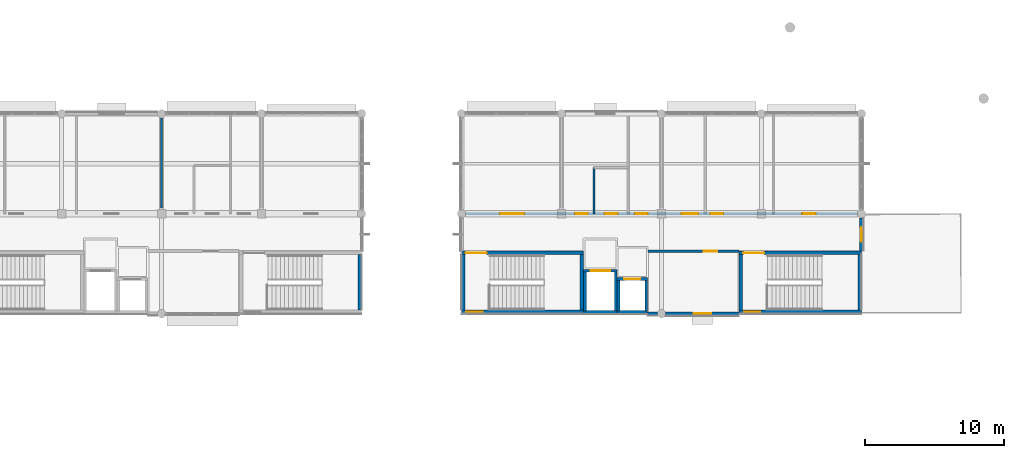
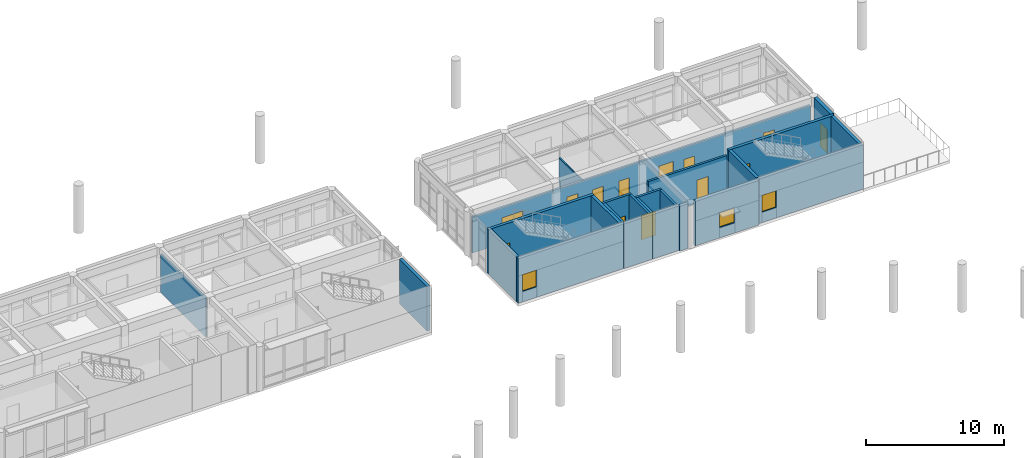
# One storey, part 22 of 41: 24 walls, 13 doors, 3 windows, 16 openings.
"""IFC4 building model written with IfcOpenShell, lengths in metres."""

from ifc_helpers import new_model, si_unit, direction, frame, frame_2d, origin, place, context, subcontext, project, spatial, rectangle, extrude, material, layer, layer_set, type_object, element, fill, save


model = new_model("IFC4")

# Units and contexts
model_context = context("Model", 3, precision=1e-05, world=origin(), true_north=direction((0.0, 1.0)))
body_context = subcontext(model_context, "Body", "Model", "MODEL_VIEW")
ifc_project = project(units=[si_unit("LENGTHUNIT", "METRE"), si_unit("AREAUNIT", "SQUARE_METRE"), si_unit("VOLUMEUNIT", "CUBIC_METRE"), si_unit("PLANEANGLEUNIT", "RADIAN"), si_unit("MASSUNIT", "GRAM", prefix="KILO")], contexts=[model_context])

# Site, building, storey
site_placement = place(None, origin())
site = spatial("IfcSite", under=ifc_project, at=site_placement, CompositionType="ELEMENT")
building_placement = place(site_placement, origin())
building = spatial("IfcBuilding", under=site, at=building_placement, Name="Namkhue Oval Health Centre", CompositionType="ELEMENT")
storey_placement = place(building_placement, frame((0.0, 0.0, 13.800048828125)))
storey = spatial("IfcBuildingStorey", under=building, at=storey_placement, Name="L03", CompositionType="ELEMENT", Elevation=13.800048828125)

# Wall
ifc_material_1 = material(Name="Autoclaved aerated concrete blockwork M7.5", Category="masonry")
ifc_layer_1 = layer(ifc_material_1, 0.27001953125)
ifc_layer_set_1 = layer_set([ifc_layer_1], Name="Autoclaved aerated concrete blockwork M7.5")
wall_type_1 = type_object("IfcWallType", Name="EXTERIOR ENVELOPE WALL 270", PredefinedType="STANDARD", material=ifc_layer_set_1)
wall_1_placement = place(storey_placement, frame((107.001953125, 90.0, 0.0), z_axis=(0.0, 0.0, 1.0), x_axis=(1.0, 0.0, 0.0)))
element("IfcWall", 1, at=wall_1_placement, inside=storey, type_object=wall_type_1, Name="Volume V3 L03 Exterior Envelope Wall 74", PredefinedType="STANDARD", context=body_context, shape_type="SweptSolid", body=[
    extrude(rectangle(XDim=0.703125, YDim=0.27001953125, at=frame_2d((0.3515625, 0.0))), origin(), (0.0, 0.0, 1.0), 3.919921875),
])

# Wall, opening, window
ifc_layer_2 = layer(ifc_material_1, 0.280029296875)
ifc_layer_set_2 = layer_set([ifc_layer_2], Name="Autoclaved aerated concrete blockwork M7.5")
wall_type_2 = type_object("IfcWallType", Name="EXTERIOR ENVELOPE WALL 280", PredefinedType="STANDARD", material=ifc_layer_set_2)
wall_2_placement = place(storey_placement, frame((108.294921875, 90.0, 0.0), z_axis=(0.0, 0.0, 1.0), x_axis=(1.0, 0.0, 0.0)))
wall_2 = element("IfcWall", 2, at=wall_2_placement, inside=storey, type_object=wall_type_2, Name="Volume V3 L03 Exterior Envelope Wall 75", PredefinedType="STANDARD", context=body_context, shape_type="SweptSolid", body=[
    extrude(rectangle(XDim=5.302978515625, YDim=0.280029296875, at=frame_2d((2.6513671875, 0.0))), origin(), (0.0, 0.0, 1.0), 3.919921875),
])
opening_1_placement = place(wall_2_placement, frame((2.026611328125, 0.0, 0.89990234375)))
opening_1 = element("IfcOpeningElement", 3, at=opening_1_placement, cuts=wall_2, Name="Opening WN-04", PredefinedType="OPENING", context=body_context, shape_type="SweptSolid", body=[
    extrude(rectangle(XDim=1.25, YDim=1.300048828125, at=frame_2d((0.625, 0.64990234375))), frame((0.0, 0.14990234375, 0.0), z_axis=(0.0, -1.0, 0.0), x_axis=(1.0, 0.0, 0.0)), (0.0, 0.0, 1.0), 0.300048828125),
])
ifc_material_2 = material(Name="Thermally broken low-E laminated double glazing", Category="glass")
window_type_1 = type_object("IfcWindowType", Name="EXTERIOR WINDOW 1250X1300", PartitioningType="SINGLE_PANEL", PredefinedType="WINDOW", material=ifc_material_2)
window_1_placement = place(opening_1_placement, origin())
window_1 = element("IfcWindow", 4, at=window_1_placement, inside=storey, type_object=window_type_1, Name="Volume V3 L03 Exterior Window 49", OverallHeight=1.300048828125, OverallWidth=1.25, PartitioningType="SINGLE_PANEL", PredefinedType="WINDOW", context=body_context, shape_type="SweptSolid", body=[
    extrude(rectangle(XDim=1.25, YDim=1.300048828125, at=frame_2d((0.625, 0.64990234375))), frame((0.0, 0.030029296875, 0.0), z_axis=(0.0, -1.0, 0.0), x_axis=(1.0, 0.0, 0.0)), (0.0, 0.0, 1.0), 0.06005859375),
])
fill(opening_1, window_1)

# Wall, opening, door
ifc_layer_3 = layer(ifc_material_1, 0.2900390625)
ifc_layer_set_3 = layer_set([ifc_layer_3], Name="Autoclaved aerated concrete blockwork M7.5")
wall_type_3 = type_object("IfcWallType", Name="EXTERIOR ENVELOPE WALL 290", PredefinedType="STANDARD", material=ifc_layer_set_3)
wall_3_placement = place(storey_placement, frame((122.39990234375, 94.501953125, 0.0), z_axis=(0.0, 0.0, 1.0), x_axis=(0.0, 1.0, 0.0)))
wall_3 = element("IfcWall", 5, at=wall_3_placement, inside=storey, type_object=wall_type_3, Name="Volume V3 L03 Exterior Envelope Wall 76", PredefinedType="STANDARD", context=body_context, shape_type="SweptSolid", body=[
    extrude(rectangle(XDim=2.403076171875, YDim=0.2900390625, at=frame_2d((1.20166015625, 0.0))), origin(), (0.0, 0.0, 1.0), 3.919921875),
])
opening_2_placement = place(wall_3_placement, frame((0.681396484375, 0.0, 0.0)))
opening_2 = element("IfcOpeningElement", 6, at=opening_2_placement, cuts=wall_3, Name="Opening TD-07", PredefinedType="OPENING", context=body_context, shape_type="SweptSolid", body=[
    extrude(rectangle(XDim=1.0400390625, YDim=2.10009765625, at=frame_2d((0.52001953125, 1.050048828125))), frame((0.0, 0.155029296875, 0.0), z_axis=(0.0, -1.0, 0.0), x_axis=(1.0, 0.0, 0.0)), (0.0, 0.0, 1.0), 0.31005859375),
])
ifc_material_3 = material(Name="Anodised aluminium glazed entrance door", Category="aluminium")
door_type_1 = type_object("IfcDoorType", Name="TERRACE DOOR 1040X2100", OperationType="NOTDEFINED", PredefinedType="DOOR", material=ifc_material_3)
door_1_placement = place(opening_2_placement, frame((1.0400390625, 0.0, 0.0), z_axis=(0.0, 0.0, 1.0), x_axis=(-1.0, 0.0, 0.0)))
door_1 = element("IfcDoor", 7, at=door_1_placement, inside=storey, type_object=door_type_1, Name="Volume V3 L03 Roof Terrace Door 7", OperationType="SINGLE_SWING_LEFT", OverallHeight=2.10009765625, OverallWidth=1.0400390625, PredefinedType="DOOR", context=body_context, shape_type="SweptSolid", body=[
    extrude(rectangle(XDim=1.0400390625, YDim=2.10009765625, at=frame_2d((0.52001953125, 1.050048828125))), frame((0.0, 0.02490234375, 0.0), z_axis=(0.0, -1.0, 0.0), x_axis=(1.0, 0.0, 0.0)), (0.0, 0.0, 1.0), 0.050048828125),
])
fill(opening_2, door_1)

# Wall, openings, doors
ifc_material_4 = material(Name="Gypsum plasterboard acoustic partition", Category="gypsum")
ifc_layer_4 = layer(ifc_material_4, 0.169921875)
ifc_layer_set_4 = layer_set([ifc_layer_4], Name="Gypsum plasterboard acoustic partition")
wall_type_4 = type_object("IfcWallType", Name="FIRE PARTITION WALL 170", PredefinedType="PARTITIONING", material=ifc_layer_set_4)
wall_4_placement = place(storey_placement, frame((93.89990234375, 97.199951171875, 0.0), z_axis=(0.0, 0.0, 1.0), x_axis=(1.0, 0.0, 0.0)))
wall_4 = element("IfcWall", 8, at=wall_4_placement, inside=storey, type_object=wall_type_4, Name="Volume V3 L03 Clinical Partition Wall 134", PredefinedType="PARTITIONING", context=body_context, shape_type="SweptSolid", body=[
    extrude(rectangle(XDim=28.2001953125, YDim=0.169921875, at=frame_2d((14.10009765625, 0.0))), origin(), (0.0, 0.0, 1.0), 3.169921875),
])
opening_3_placement = place(wall_4_placement, frame((2.472900390625, 0.0, 0.0)))
opening_3 = element("IfcOpeningElement", 9, at=opening_3_placement, cuts=wall_4, Name="Opening CDD-07", PredefinedType="OPENING", context=body_context, shape_type="SweptSolid", body=[
    extrude(rectangle(XDim=1.739990234375, YDim=2.260009765625, at=frame_2d((0.8701171875, 1.1298828125))), frame((0.0, 0.094970703125, 0.0), z_axis=(0.0, -1.0, 0.0), x_axis=(1.0, 0.0, 0.0)), (0.0, 0.0, 1.0), 0.18994140625),
])
opening_4_placement = place(wall_4_placement, frame((7.8798828125, 0.0, 0.0)))
opening_4 = element("IfcOpeningElement", 10, at=opening_4_placement, cuts=wall_4, Name="Opening CD-13", PredefinedType="OPENING", context=body_context, shape_type="SweptSolid", body=[
    extrude(rectangle(XDim=0.919921875, YDim=2.179931640625, at=frame_2d((0.4599609375, 1.08984375))), frame((0.0, 0.094970703125, 0.0), z_axis=(0.0, -1.0, 0.0), x_axis=(1.0, 0.0, 0.0)), (0.0, 0.0, 1.0), 0.18994140625),
])
opening_5_placement = place(wall_4_placement, frame((10.0, 0.0, 0.0)))
opening_5 = element("IfcOpeningElement", 11, at=opening_5_placement, cuts=wall_4, Name="Opening CD-02", PredefinedType="OPENING", context=body_context, shape_type="SweptSolid", body=[
    extrude(rectangle(XDim=0.93994140625, YDim=2.080078125, at=frame_2d((0.469970703125, 1.0400390625))), frame((0.0, 0.094970703125, 0.0), z_axis=(0.0, -1.0, 0.0), x_axis=(1.0, 0.0, 0.0)), (0.0, 0.0, 1.0), 0.18994140625),
])
opening_6_placement = place(wall_4_placement, frame((12.2099609375, 0.0, 0.0)))
opening_6 = element("IfcOpeningElement", 12, at=opening_6_placement, cuts=wall_4, Name="Opening CD-01", PredefinedType="OPENING", context=body_context, shape_type="SweptSolid", body=[
    extrude(rectangle(XDim=0.89990234375, YDim=2.080078125, at=frame_2d((0.449951171875, 1.0400390625))), frame((0.0, 0.094970703125, 0.0), z_axis=(0.0, -1.0, 0.0), x_axis=(1.0, 0.0, 0.0)), (0.0, 0.0, 1.0), 0.18994140625),
])
opening_7_placement = place(wall_4_placement, frame((15.56005859375, 0.0, 0.0)))
opening_7 = element("IfcOpeningElement", 13, at=opening_7_placement, cuts=wall_4, Name="Opening CD-22", PredefinedType="OPENING", context=body_context, shape_type="SweptSolid", body=[
    extrude(rectangle(XDim=1.199951171875, YDim=2.22998046875, at=frame_2d((0.60009765625, 1.114990234375))), frame((0.0, 0.094970703125, 0.0), z_axis=(0.0, -1.0, 0.0), x_axis=(1.0, 0.0, 0.0)), (0.0, 0.0, 1.0), 0.18994140625),
])
opening_8_placement = place(wall_4_placement, frame((17.639892578125, 0.0, 0.0)))
opening_8 = element("IfcOpeningElement", 14, at=opening_8_placement, cuts=wall_4, Name="Opening CD-01", PredefinedType="OPENING", context=body_context, shape_type="SweptSolid", body=[
    extrude(rectangle(XDim=0.89990234375, YDim=2.080078125, at=frame_2d((0.449951171875, 1.0400390625))), frame((0.0, 0.094970703125, 0.0), z_axis=(0.0, -1.0, 0.0), x_axis=(1.0, 0.0, 0.0)), (0.0, 0.0, 1.0), 0.18994140625),
])
opening_9_placement = place(wall_4_placement, frame((24.25390625, 0.0, 0.0)))
opening_9 = element("IfcOpeningElement", 15, at=opening_9_placement, cuts=wall_4, Name="Opening CD-02", PredefinedType="OPENING", context=body_context, shape_type="SweptSolid", body=[
    extrude(rectangle(XDim=0.93994140625, YDim=2.080078125, at=frame_2d((0.469970703125, 1.0400390625))), frame((0.0, 0.094970703125, 0.0), z_axis=(0.0, -1.0, 0.0), x_axis=(1.0, 0.0, 0.0)), (0.0, 0.0, 1.0), 0.18994140625),
])
ifc_material_5 = material(Name="High-pressure laminate timber clinical door", Category="wood")
door_type_2 = type_object("IfcDoorType", Name="CLINICAL DOOR 1200X2230", OperationType="NOTDEFINED", PredefinedType="DOOR", material=ifc_material_5)
door_2_placement = place(opening_7_placement, origin())
door_2 = element("IfcDoor", 16, at=door_2_placement, inside=storey, type_object=door_type_2, Name="Volume V3 L03 AV Equipment Store Door 117", OperationType="SINGLE_SWING_RIGHT", OverallHeight=2.22998046875, OverallWidth=1.199951171875, PredefinedType="DOOR", context=body_context, shape_type="SweptSolid", body=[
    extrude(rectangle(XDim=1.199951171875, YDim=2.22998046875, at=frame_2d((0.60009765625, 1.114990234375))), frame((0.0, 0.02490234375, 0.0), z_axis=(0.0, -1.0, 0.0), x_axis=(1.0, 0.0, 0.0)), (0.0, 0.0, 1.0), 0.050048828125),
])
fill(opening_7, door_2)
door_type_3 = type_object("IfcDoorType", Name="CLINICAL DOOR 900X2080", OperationType="NOTDEFINED", PredefinedType="DOOR", material=ifc_material_5)
door_3_placement = place(opening_6_placement, origin())
door_3 = element("IfcDoor", 17, at=door_3_placement, inside=storey, type_object=door_type_3, Name="Volume V3 L03 Public Washroom Door 116", OperationType="SINGLE_SWING_LEFT", OverallHeight=2.080078125, OverallWidth=0.89990234375, PredefinedType="DOOR", context=body_context, shape_type="SweptSolid", body=[
    extrude(rectangle(XDim=0.89990234375, YDim=2.080078125, at=frame_2d((0.449951171875, 1.0400390625))), frame((0.0, 0.02490234375, 0.0), z_axis=(0.0, -1.0, 0.0), x_axis=(1.0, 0.0, 0.0)), (0.0, 0.0, 1.0), 0.050048828125),
])
fill(opening_6, door_3)
door_4_placement = place(opening_8_placement, origin())
door_4 = element("IfcDoor", 18, at=door_4_placement, inside=storey, type_object=door_type_3, Name="Volume V3 L03 Preventive Epidemiology Office Door 118", OperationType="SINGLE_SWING_LEFT", OverallHeight=2.080078125, OverallWidth=0.89990234375, PredefinedType="DOOR", context=body_context, shape_type="SweptSolid", body=[
    extrude(rectangle(XDim=0.89990234375, YDim=2.080078125, at=frame_2d((0.449951171875, 1.0400390625))), frame((0.0, 0.02490234375, 0.0), z_axis=(0.0, -1.0, 0.0), x_axis=(1.0, 0.0, 0.0)), (0.0, 0.0, 1.0), 0.050048828125),
])
fill(opening_8, door_4)
door_type_4 = type_object("IfcDoorType", Name="CLINICAL DOOR 920X2180", OperationType="NOTDEFINED", PredefinedType="DOOR", material=ifc_material_5)
door_5_placement = place(opening_4_placement, origin())
door_5 = element("IfcDoor", 19, at=door_5_placement, inside=storey, type_object=door_type_4, Name="Volume V3 L03 Health Education Prep Utility Door 114", OperationType="SINGLE_SWING_RIGHT", OverallHeight=2.179931640625, OverallWidth=0.919921875, PredefinedType="DOOR", context=body_context, shape_type="SweptSolid", body=[
    extrude(rectangle(XDim=0.919921875, YDim=2.179931640625, at=frame_2d((0.4599609375, 1.08984375))), frame((0.0, 0.02490234375, 0.0), z_axis=(0.0, -1.0, 0.0), x_axis=(1.0, 0.0, 0.0)), (0.0, 0.0, 1.0), 0.050048828125),
])
fill(opening_4, door_5)
door_type_5 = type_object("IfcDoorType", Name="CLINICAL DOOR 940X2080", OperationType="NOTDEFINED", PredefinedType="DOOR", material=ifc_material_5)
door_6_placement = place(opening_5_placement, origin())
door_6 = element("IfcDoor", 20, at=door_6_placement, inside=storey, type_object=door_type_5, Name="Volume V3 L03 Accessible WC Door 115", OperationType="SINGLE_SWING_RIGHT", OverallHeight=2.080078125, OverallWidth=0.93994140625, PredefinedType="DOOR", context=body_context, shape_type="SweptSolid", body=[
    extrude(rectangle(XDim=0.93994140625, YDim=2.080078125, at=frame_2d((0.469970703125, 1.0400390625))), frame((0.0, 0.02490234375, 0.0), z_axis=(0.0, -1.0, 0.0), x_axis=(1.0, 0.0, 0.0)), (0.0, 0.0, 1.0), 0.050048828125),
])
fill(opening_5, door_6)
door_7_placement = place(opening_9_placement, origin())
door_7 = element("IfcDoor", 21, at=door_7_placement, inside=storey, type_object=door_type_5, Name="Volume V3 L03 Staff Terrace Lounge Door 119", OperationType="SINGLE_SWING_RIGHT", OverallHeight=2.080078125, OverallWidth=0.93994140625, PredefinedType="DOOR", context=body_context, shape_type="SweptSolid", body=[
    extrude(rectangle(XDim=0.93994140625, YDim=2.080078125, at=frame_2d((0.469970703125, 1.0400390625))), frame((0.0, 0.02490234375, 0.0), z_axis=(0.0, -1.0, 0.0), x_axis=(1.0, 0.0, 0.0)), (0.0, 0.0, 1.0), 0.050048828125),
])
fill(opening_9, door_7)
ifc_material_6 = material(Name="Powder-coated steel fire door assembly", Category="steel")
door_type_6 = type_object("IfcDoorType", Name="CLINICAL DOOR DOUBLE 1740X2260", OperationType="DOUBLE_DOOR_SINGLE_SWING", PredefinedType="DOOR", material=ifc_material_6)
door_8_placement = place(opening_3_placement, origin())
door_8 = element("IfcDoor", 22, at=door_8_placement, inside=storey, type_object=door_type_6, Name="Volume V3 L03 Community Health Seminar Room Door 113", OperationType="DOUBLE_DOOR_SINGLE_SWING", OverallHeight=2.260009765625, OverallWidth=1.739990234375, PredefinedType="DOOR", context=body_context, shape_type="SweptSolid", body=[
    extrude(rectangle(XDim=1.739990234375, YDim=2.260009765625, at=frame_2d((0.8701171875, 1.1298828125))), frame((0.0, 0.02490234375, 0.0), z_axis=(0.0, -1.0, 0.0), x_axis=(1.0, 0.0, 0.0)), (0.0, 0.0, 1.0), 0.050048828125),
])
fill(opening_3, door_8)

# Wall, opening, door
ifc_layer_5 = layer(ifc_material_4, 0.18505859375)
ifc_layer_set_5 = layer_set([ifc_layer_5], Name="Gypsum plasterboard acoustic partition")
wall_type_5 = type_object("IfcWallType", Name="FIRE PARTITION WALL 185", PredefinedType="PARTITIONING", material=ifc_layer_set_5)
wall_5_placement = place(storey_placement, frame((107.02001953125, 94.5, 0.0), z_axis=(0.0, 0.0, 1.0), x_axis=(1.0, 0.0, 0.0)))
wall_5 = element("IfcWall", 23, at=wall_5_placement, inside=storey, type_object=wall_type_5, Name="Volume V3 L03 Clinical Partition Wall 142", PredefinedType="PARTITIONING", context=body_context, shape_type="SweptSolid", body=[
    extrude(rectangle(XDim=6.56005859375, YDim=0.18505859375, at=frame_2d((3.280029296875, 0.0))), origin(), (0.0, 0.0, 1.0), 3.369873046875),
])
opening_10_placement = place(wall_5_placement, frame((4.030029296875, 0.0, 0.0)))
opening_10 = element("IfcOpeningElement", 24, at=opening_10_placement, cuts=wall_5, Name="Opening CD-03", PredefinedType="OPENING", context=body_context, shape_type="SweptSolid", body=[
    extrude(rectangle(XDim=0.97998046875, YDim=2.080078125, at=frame_2d((0.489990234375, 1.0400390625))), frame((0.0, 0.1025390625, 0.0), z_axis=(0.0, -1.0, 0.0), x_axis=(1.0, 0.0, 0.0)), (0.0, 0.0, 1.0), 0.205078125),
])
door_type_7 = type_object("IfcDoorType", Name="CLINICAL DOOR 980X2080", OperationType="NOTDEFINED", PredefinedType="DOOR", material=ifc_material_5)
door_9_placement = place(opening_10_placement, frame((0.97998046875, 0.0, 0.0), z_axis=(0.0, 0.0, 1.0), x_axis=(-1.0, 0.0, 0.0)))
door_9 = element("IfcDoor", 25, at=door_9_placement, inside=storey, type_object=door_type_7, Name="Volume V3 L03 East Terrace Seminar Breakout Lounge Door 120", OperationType="SINGLE_SWING_LEFT", OverallHeight=2.080078125, OverallWidth=0.97998046875, PredefinedType="DOOR", context=body_context, shape_type="SweptSolid", body=[
    extrude(rectangle(XDim=0.97998046875, YDim=2.080078125, at=frame_2d((0.489990234375, 1.0400390625))), frame((0.0, 0.02490234375, 0.0), z_axis=(0.0, -1.0, 0.0), x_axis=(1.0, 0.0, 0.0)), (0.0, 0.0, 1.0), 0.050048828125),
])
fill(opening_10, door_9)

# Walls
ifc_layer_6 = layer(ifc_material_4, 0.1201171875)
ifc_layer_set_6 = layer_set([ifc_layer_6], Name="Gypsum plasterboard acoustic partition")
wall_type_6 = type_object("IfcWallType", Name="INTERIOR PARTITION WALL 120", PredefinedType="PARTITIONING", material=ifc_layer_set_6)
wall_6_placement = place(storey_placement, frame((103.139892578125, 97.199951171875, 0.0), z_axis=(0.0, 0.0, 1.0), x_axis=(0.0, 1.0, 0.0)))
element("IfcWall", 26, at=wall_6_placement, inside=storey, type_object=wall_type_6, Name="Volume V3 L03 Clinical Partition Wall 136", PredefinedType="PARTITIONING", context=body_context, shape_type="SweptSolid", body=[
    extrude(rectangle(XDim=3.320068359375, YDim=0.1201171875, at=frame_2d((1.66015625, 0.0))), origin(), (0.0, 0.0, 1.0), 3.169921875),
])
ifc_layer_7 = layer(ifc_material_4, 0.14990234375)
ifc_layer_set_7 = layer_set([ifc_layer_7], Name="Gypsum plasterboard acoustic partition")
wall_type_7 = type_object("IfcWallType", Name="INTERIOR PARTITION WALL 150", PredefinedType="PARTITIONING", material=ifc_layer_set_7)
wall_7_placement = place(storey_placement, frame((72.0, 97.624267578125, 0.0), z_axis=(0.0, 0.0, 1.0), x_axis=(0.0, 1.0, 0.0)))
element("IfcWall", 27, at=wall_7_placement, inside=storey, type_object=wall_type_7, Name="Volume V2 L03 Clinical Partition Wall 76", PredefinedType="PARTITIONING", context=body_context, shape_type="SweptSolid", body=[
    extrude(rectangle(XDim=6.475830078125, YDim=0.14990234375, at=frame_2d((3.23779296875, 0.0))), origin(), (0.0, 0.0, 1.0), 3.39501953125),
])
ifc_material_7 = material(Name="Reinforced concrete C35/45 (TCVN B40)", Category="concrete")
ifc_layer_8 = layer(ifc_material_7, 0.25)
ifc_layer_set_8 = layer_set([ifc_layer_8], Name="Reinforced concrete C35/45 (TCVN B40)")
wall_type_8 = type_object("IfcWallType", Name="SHEAR CORE WALL EXT 250", PredefinedType="SHEAR", material=ifc_layer_set_8)
wall_8_placement = place(storey_placement, frame((86.27490234375, 90.25, 0.0), z_axis=(0.0, 0.0, 1.0), x_axis=(0.0, 1.0, 0.0)))
element("IfcWall", 28, at=wall_8_placement, inside=storey, type_object=wall_type_8, Name="Core SC-04 L03 Shear Wall E", PredefinedType="SHEAR", context=body_context, shape_type="SweptSolid", body=[
    extrude(rectangle(XDim=4.0, YDim=0.25, at=frame_2d((2.0, 0.0))), origin(), (0.0, 0.0, 1.0), 3.945068359375),
])

# Wall, opening, window
wall_9_placement = place(storey_placement, frame((93.60009765625, 90.125, 0.0), z_axis=(0.0, 0.0, 1.0), x_axis=(1.0, 0.0, 0.0)))
wall_9 = element("IfcWall", 29, at=wall_9_placement, inside=storey, type_object=wall_type_8, Name="Core SC-05 L03 Shear Wall S", PredefinedType="SHEAR", context=body_context, shape_type="SweptSolid", body=[
    extrude(rectangle(XDim=8.7998046875, YDim=0.25, at=frame_2d((4.39990234375, 0.0))), origin(), (0.0, 0.0, 1.0), 3.919921875),
])
opening_11_placement = place(wall_9_placement, frame((0.35009765625, 0.0, 0.919921875)))
opening_11 = element("IfcOpeningElement", 30, at=opening_11_placement, cuts=wall_9, Name="Opening SWN-01", PredefinedType="OPENING", context=body_context, shape_type="SweptSolid", body=[
    extrude(rectangle(XDim=1.179931640625, YDim=1.47998046875, at=frame_2d((0.58984375, 0.739990234375))), frame((0.0, 0.135009765625, 0.0), z_axis=(0.0, -1.0, 0.0), x_axis=(1.0, 0.0, 0.0)), (0.0, 0.0, 1.0), 0.27001953125),
])
ifc_material_8 = material(Name="Fire-rated insulated safety double glazing", Category="glass")
window_type_2 = type_object("IfcWindowType", Name="EXTERIOR WINDOW STAIRWELL 1180X1480", PartitioningType="SINGLE_PANEL", PredefinedType="WINDOW", material=ifc_material_8)
window_2_placement = place(opening_11_placement, origin())
window_2 = element("IfcWindow", 31, at=window_2_placement, inside=storey, type_object=window_type_2, Name="Stair ST-05 L03 Stairwell Daylight Window", OverallHeight=1.47998046875, OverallWidth=1.179931640625, PartitioningType="SINGLE_PANEL", PredefinedType="WINDOW", context=body_context, shape_type="SweptSolid", body=[
    extrude(rectangle(XDim=1.179931640625, YDim=1.47998046875, at=frame_2d((0.58984375, 0.739990234375))), frame((0.0, 0.030029296875, 0.0), z_axis=(0.0, -1.0, 0.0), x_axis=(1.0, 0.0, 0.0)), (0.0, 0.0, 1.0), 0.06005859375),
])
fill(opening_11, window_2)

# Wall
wall_10_placement = place(storey_placement, frame((93.72509765625, 94.25, 0.0), z_axis=(0.0, 0.0, 1.0), x_axis=(0.0, -1.0, 0.0)))
element("IfcWall", 32, at=wall_10_placement, inside=storey, type_object=wall_type_8, Name="Core SC-05 L03 Shear Wall W", PredefinedType="SHEAR", context=body_context, shape_type="SweptSolid", body=[
    extrude(rectangle(XDim=4.0, YDim=0.25, at=frame_2d((2.0, 0.0))), origin(), (0.0, 0.0, 1.0), 3.919921875),
])

# Wall, opening, window
wall_11_placement = place(storey_placement, frame((113.60009765625, 90.125, 0.0), z_axis=(0.0, 0.0, 1.0), x_axis=(1.0, 0.0, 0.0)))
wall_11 = element("IfcWall", 33, at=wall_11_placement, inside=storey, type_object=wall_type_8, Name="Core SC-06 L03 Shear Wall S", PredefinedType="SHEAR", context=body_context, shape_type="SweptSolid", body=[
    extrude(rectangle(XDim=8.7998046875, YDim=0.25, at=frame_2d((4.39990234375, 0.0))), origin(), (0.0, 0.0, 1.0), 3.919921875),
])
opening_12_placement = place(wall_11_placement, frame((0.35009765625, 0.0, 0.919921875)))
opening_12 = element("IfcOpeningElement", 34, at=opening_12_placement, cuts=wall_11, Name="Opening SWN-01", PredefinedType="OPENING", context=body_context, shape_type="SweptSolid", body=[
    extrude(rectangle(XDim=1.179931640625, YDim=1.47998046875, at=frame_2d((0.58984375, 0.739990234375))), frame((0.0, 0.135009765625, 0.0), z_axis=(0.0, -1.0, 0.0), x_axis=(1.0, 0.0, 0.0)), (0.0, 0.0, 1.0), 0.27001953125),
])
window_3_placement = place(opening_12_placement, origin())
window_3 = element("IfcWindow", 35, at=window_3_placement, inside=storey, type_object=window_type_2, Name="Stair ST-06 L03 Stairwell Daylight Window", OverallHeight=1.47998046875, OverallWidth=1.179931640625, PartitioningType="SINGLE_PANEL", PredefinedType="WINDOW", context=body_context, shape_type="SweptSolid", body=[
    extrude(rectangle(XDim=1.179931640625, YDim=1.47998046875, at=frame_2d((0.58984375, 0.739990234375))), frame((0.0, 0.030029296875, 0.0), z_axis=(0.0, -1.0, 0.0), x_axis=(1.0, 0.0, 0.0)), (0.0, 0.0, 1.0), 0.06005859375),
])
fill(opening_12, window_3)

# Walls
wall_12_placement = place(storey_placement, frame((122.27490234375, 90.25, 0.0), z_axis=(0.0, 0.0, 1.0), x_axis=(0.0, 1.0, 0.0)))
element("IfcWall", 36, at=wall_12_placement, inside=storey, type_object=wall_type_8, Name="Core SC-06 L03 Shear Wall E", PredefinedType="SHEAR", context=body_context, shape_type="SweptSolid", body=[
    extrude(rectangle(XDim=4.0, YDim=0.25, at=frame_2d((2.0, 0.0))), origin(), (0.0, 0.0, 1.0), 3.919921875),
])
wall_13_placement = place(storey_placement, frame((102.39990234375, 90.10009765625, 0.0), z_axis=(0.0, 0.0, 1.0), x_axis=(1.0, 0.0, 0.0)))
element("IfcWall", 37, at=wall_13_placement, inside=storey, type_object=wall_type_8, Name="Lift LF-03 L03 Shaft Wall S", PredefinedType="SHEAR", context=body_context, shape_type="SweptSolid", body=[
    extrude(rectangle(XDim=2.400146484375, YDim=0.25, at=frame_2d((1.2001953125, 0.0))), origin(), (0.0, 0.0, 1.0), 3.919921875),
])
wall_14_placement = place(storey_placement, frame((104.800048828125, 90.10009765625, 0.0), z_axis=(0.0, 0.0, 1.0), x_axis=(1.0, 0.0, 0.0)))
element("IfcWall", 38, at=wall_14_placement, inside=storey, type_object=wall_type_8, Name="Lift LF-04 L03 Shaft Wall S", PredefinedType="SHEAR", context=body_context, shape_type="SweptSolid", body=[
    extrude(rectangle(XDim=2.199951171875, YDim=0.25, at=frame_2d((1.10009765625, 0.0))), origin(), (0.0, 0.0, 1.0), 3.919921875),
])
ifc_layer_9 = layer(ifc_material_7, 0.199951171875)
ifc_layer_set_9 = layer_set([ifc_layer_9], Name="Reinforced concrete C35/45 (TCVN B40)")
wall_type_9 = type_object("IfcWallType", Name="SHEAR CORE WALL INT 200", PredefinedType="SHEAR", material=ifc_layer_set_9)
wall_15_placement = place(storey_placement, frame((104.699951171875, 90.199951171875, 0.0), z_axis=(0.0, 0.0, 1.0), x_axis=(0.0, 1.0, 0.0)))
element("IfcWall", 39, at=wall_15_placement, inside=storey, type_object=wall_type_9, Name="Lift LF-03 L03 Shaft Wall E", PredefinedType="SHEAR", context=body_context, shape_type="SweptSolid", body=[
    extrude(rectangle(XDim=2.800048828125, YDim=0.199951171875, at=frame_2d((1.39990234375, 0.0))), origin(), (0.0, 0.0, 1.0), 3.919921875),
])

# Wall, opening, door
wall_16_placement = place(storey_placement, frame((104.800048828125, 93.10009765625, 0.0), z_axis=(0.0, 0.0, 1.0), x_axis=(-1.0, 0.0, 0.0)))
wall_16 = element("IfcWall", 40, at=wall_16_placement, inside=storey, type_object=wall_type_9, Name="Lift LF-03 L03 Shaft Wall N", PredefinedType="SHEAR", context=body_context, shape_type="SweptSolid", body=[
    extrude(rectangle(XDim=2.400146484375, YDim=0.199951171875, at=frame_2d((1.2001953125, 0.0))), origin(), (0.0, 0.0, 1.0), 3.919921875),
])
opening_13_placement = place(wall_16_placement, frame((0.5, 0.0, 0.0)))
opening_13 = element("IfcOpeningElement", 41, at=opening_13_placement, cuts=wall_16, Name="Opening LD-01", PredefinedType="OPENING", context=body_context, shape_type="SweptSolid", body=[
    extrude(rectangle(XDim=1.39990234375, YDim=2.14990234375, at=frame_2d((0.699951171875, 1.074951171875))), frame((0.0, 0.10986328125, 0.0), z_axis=(0.0, -1.0, 0.0), x_axis=(1.0, 0.0, 0.0)), (0.0, 0.0, 1.0), 0.219970703125),
])
door_type_8 = type_object("IfcDoorType", Name="LIFT LANDING DOOR STRETCHER 1400X2150", OperationType="DOUBLE_DOOR_SLIDING", PredefinedType="DOOR", material=ifc_material_6)
door_10_placement = place(opening_13_placement, frame((1.39990234375, 0.0, 0.0), z_axis=(0.0, 0.0, 1.0), x_axis=(-1.0, 0.0, 0.0)))
door_10 = element("IfcDoor", 42, at=door_10_placement, inside=storey, type_object=door_type_8, Name="Lift LF-03 L03 Sliding Landing Door", OperationType="DOUBLE_DOOR_SLIDING", OverallHeight=2.14990234375, OverallWidth=1.39990234375, PredefinedType="DOOR", context=body_context, shape_type="SweptSolid", body=[
    extrude(rectangle(XDim=1.39990234375, YDim=2.14990234375, at=frame_2d((0.699951171875, 1.074951171875))), frame((0.0, 0.02490234375, 0.0), z_axis=(0.0, -1.0, 0.0), x_axis=(1.0, 0.0, 0.0)), (0.0, 0.0, 1.0), 0.050048828125),
])
fill(opening_13, door_10)

# Walls
wall_17_placement = place(storey_placement, frame((102.5, 93.0, 0.0), z_axis=(0.0, 0.0, 1.0), x_axis=(0.0, -1.0, 0.0)))
element("IfcWall", 43, at=wall_17_placement, inside=storey, type_object=wall_type_9, Name="Lift LF-03 L03 Shaft Wall W", PredefinedType="SHEAR", context=body_context, shape_type="SweptSolid", body=[
    extrude(rectangle(XDim=2.800048828125, YDim=0.199951171875, at=frame_2d((1.39990234375, 0.0))), origin(), (0.0, 0.0, 1.0), 3.919921875),
])
wall_18_placement = place(storey_placement, frame((106.89990234375, 90.199951171875, 0.0), z_axis=(0.0, 0.0, 1.0), x_axis=(0.0, 1.0, 0.0)))
element("IfcWall", 44, at=wall_18_placement, inside=storey, type_object=wall_type_9, Name="Lift LF-04 L03 Shaft Wall E", PredefinedType="SHEAR", context=body_context, shape_type="SweptSolid", body=[
    extrude(rectangle(XDim=2.199951171875, YDim=0.199951171875, at=frame_2d((1.10009765625, 0.0))), origin(), (0.0, 0.0, 1.0), 3.919921875),
])

# Wall, opening, door
wall_19_placement = place(storey_placement, frame((107.0, 92.5, 0.0), z_axis=(0.0, 0.0, 1.0), x_axis=(-1.0, 0.0, 0.0)))
wall_19 = element("IfcWall", 45, at=wall_19_placement, inside=storey, type_object=wall_type_9, Name="Lift LF-04 L03 Shaft Wall N", PredefinedType="SHEAR", context=body_context, shape_type="SweptSolid", body=[
    extrude(rectangle(XDim=2.199951171875, YDim=0.199951171875, at=frame_2d((1.10009765625, 0.0))), origin(), (0.0, 0.0, 1.0), 3.919921875),
])
opening_14_placement = place(wall_19_placement, frame((0.52490234375, 0.0, 0.0)))
opening_14 = element("IfcOpeningElement", 46, at=opening_14_placement, cuts=wall_19, Name="Opening LD-02", PredefinedType="OPENING", context=body_context, shape_type="SweptSolid", body=[
    extrude(rectangle(XDim=1.14990234375, YDim=2.14990234375, at=frame_2d((0.574951171875, 1.074951171875))), frame((0.0, 0.10986328125, 0.0), z_axis=(0.0, -1.0, 0.0), x_axis=(1.0, 0.0, 0.0)), (0.0, 0.0, 1.0), 0.219970703125),
])
door_type_9 = type_object("IfcDoorType", Name="LIFT LANDING DOOR PASSENGER 1150X2150", OperationType="DOUBLE_DOOR_SLIDING", PredefinedType="DOOR", material=ifc_material_6)
door_11_placement = place(opening_14_placement, frame((1.14990234375, 0.0, 0.0), z_axis=(0.0, 0.0, 1.0), x_axis=(-1.0, 0.0, 0.0)))
door_11 = element("IfcDoor", 47, at=door_11_placement, inside=storey, type_object=door_type_9, Name="Lift LF-04 L03 Sliding Landing Door", OperationType="DOUBLE_DOOR_SLIDING", OverallHeight=2.14990234375, OverallWidth=1.14990234375, PredefinedType="DOOR", context=body_context, shape_type="SweptSolid", body=[
    extrude(rectangle(XDim=1.14990234375, YDim=2.14990234375, at=frame_2d((0.574951171875, 1.074951171875))), frame((0.0, 0.02490234375, 0.0), z_axis=(0.0, -1.0, 0.0), x_axis=(1.0, 0.0, 0.0)), (0.0, 0.0, 1.0), 0.050048828125),
])
fill(opening_14, door_11)

# Walls
wall_20_placement = place(storey_placement, frame((104.89990234375, 92.39990234375, 0.0), z_axis=(0.0, 0.0, 1.0), x_axis=(0.0, -1.0, 0.0)))
element("IfcWall", 48, at=wall_20_placement, inside=storey, type_object=wall_type_9, Name="Lift LF-04 L03 Shaft Wall W", PredefinedType="SHEAR", context=body_context, shape_type="SweptSolid", body=[
    extrude(rectangle(XDim=2.199951171875, YDim=0.199951171875, at=frame_2d((1.10009765625, 0.0))), origin(), (0.0, 0.0, 1.0), 3.919921875),
])
ifc_layer_10 = layer(ifc_material_7, 0.25)
ifc_layer_set_10 = layer_set([ifc_layer_10], Name="Reinforced concrete C35/45 (TCVN B40)")
wall_type_10 = type_object("IfcWallType", Name="SHEAR CORE WALL INT 250", PredefinedType="SHEAR", material=ifc_layer_set_10)
wall_21_placement = place(storey_placement, frame((102.27490234375, 90.25, 0.0), z_axis=(0.0, 0.0, 1.0), x_axis=(0.0, 1.0, 0.0)))
element("IfcWall", 49, at=wall_21_placement, inside=storey, type_object=wall_type_10, Name="Core SC-05 L03 Shear Wall E", PredefinedType="SHEAR", context=body_context, shape_type="SweptSolid", body=[
    extrude(rectangle(XDim=4.0, YDim=0.25, at=frame_2d((2.0, 0.0))), origin(), (0.0, 0.0, 1.0), 3.919921875),
])

# Wall, opening, door
wall_22_placement = place(storey_placement, frame((102.39990234375, 94.375, 0.0), z_axis=(0.0, 0.0, 1.0), x_axis=(-1.0, 0.0, 0.0)))
wall_22 = element("IfcWall", 50, at=wall_22_placement, inside=storey, type_object=wall_type_10, Name="Core SC-05 L03 Shear Wall N", PredefinedType="SHEAR", context=body_context, shape_type="SweptSolid", body=[
    extrude(rectangle(XDim=8.7998046875, YDim=0.25, at=frame_2d((4.39990234375, 0.0))), origin(), (0.0, 0.0, 1.0), 3.919921875),
])
opening_15_placement = place(wall_22_placement, frame((7.0, 0.0, 0.0)))
opening_15 = element("IfcOpeningElement", 51, at=opening_15_placement, cuts=wall_22, Name="Opening SD-I1", PredefinedType="OPENING", context=body_context, shape_type="SweptSolid", body=[
    extrude(rectangle(XDim=1.5, YDim=2.14990234375, at=frame_2d((0.75, 1.074951171875))), frame((0.0, 0.135009765625, 0.0), z_axis=(0.0, -1.0, 0.0), x_axis=(1.0, 0.0, 0.0)), (0.0, 0.0, 1.0), 0.27001953125),
])
door_type_10 = type_object("IfcDoorType", Name="CLINICAL DOOR STAIR CORE 1500X2150", OperationType="DOUBLE_DOOR_SINGLE_SWING", PredefinedType="DOOR", material=ifc_material_6)
door_12_placement = place(opening_15_placement, origin())
door_12 = element("IfcDoor", 52, at=door_12_placement, inside=storey, type_object=door_type_10, Name="Stair ST-05 L03 Stair Enclosure Fire Door", OperationType="DOUBLE_DOOR_SINGLE_SWING", OverallHeight=2.14990234375, OverallWidth=1.5, PredefinedType="DOOR", context=body_context, shape_type="SweptSolid", body=[
    extrude(rectangle(XDim=1.5, YDim=2.14990234375, at=frame_2d((0.75, 1.074951171875))), frame((0.0, 0.02490234375, 0.0), z_axis=(0.0, -1.0, 0.0), x_axis=(1.0, 0.0, 0.0)), (0.0, 0.0, 1.0), 0.050048828125),
])
fill(opening_15, door_12)

wall_23_placement = place(storey_placement, frame((122.39990234375, 94.375, 0.0), z_axis=(0.0, 0.0, 1.0), x_axis=(-1.0, 0.0, 0.0)))
wall_23 = element("IfcWall", 53, at=wall_23_placement, inside=storey, type_object=wall_type_10, Name="Core SC-06 L03 Shear Wall N", PredefinedType="SHEAR", context=body_context, shape_type="SweptSolid", body=[
    extrude(rectangle(XDim=8.7998046875, YDim=0.25, at=frame_2d((4.39990234375, 0.0))), origin(), (0.0, 0.0, 1.0), 3.919921875),
])
opening_16_placement = place(wall_23_placement, frame((7.0, 0.0, 0.0)))
opening_16 = element("IfcOpeningElement", 54, at=opening_16_placement, cuts=wall_23, Name="Opening SD-I1", PredefinedType="OPENING", context=body_context, shape_type="SweptSolid", body=[
    extrude(rectangle(XDim=1.5, YDim=2.14990234375, at=frame_2d((0.75, 1.074951171875))), frame((0.0, 0.135009765625, 0.0), z_axis=(0.0, -1.0, 0.0), x_axis=(1.0, 0.0, 0.0)), (0.0, 0.0, 1.0), 0.27001953125),
])
door_13_placement = place(opening_16_placement, origin())
door_13 = element("IfcDoor", 55, at=door_13_placement, inside=storey, type_object=door_type_10, Name="Stair ST-06 L03 Stair Enclosure Fire Door", OperationType="DOUBLE_DOOR_SINGLE_SWING", OverallHeight=2.14990234375, OverallWidth=1.5, PredefinedType="DOOR", context=body_context, shape_type="SweptSolid", body=[
    extrude(rectangle(XDim=1.5, YDim=2.14990234375, at=frame_2d((0.75, 1.074951171875))), frame((0.0, 0.02490234375, 0.0), z_axis=(0.0, -1.0, 0.0), x_axis=(1.0, 0.0, 0.0)), (0.0, 0.0, 1.0), 0.050048828125),
])
fill(opening_16, door_13)

# Wall
wall_24_placement = place(storey_placement, frame((113.72509765625, 94.25, 0.0), z_axis=(0.0, 0.0, 1.0), x_axis=(0.0, -1.0, 0.0)))
element("IfcWall", 56, at=wall_24_placement, inside=storey, type_object=wall_type_10, Name="Core SC-06 L03 Shear Wall W", PredefinedType="SHEAR", context=body_context, shape_type="SweptSolid", body=[
    extrude(rectangle(XDim=4.0, YDim=0.25, at=frame_2d((2.0, 0.0))), origin(), (0.0, 0.0, 1.0), 3.919921875),
])

save(model, "model.ifc")
